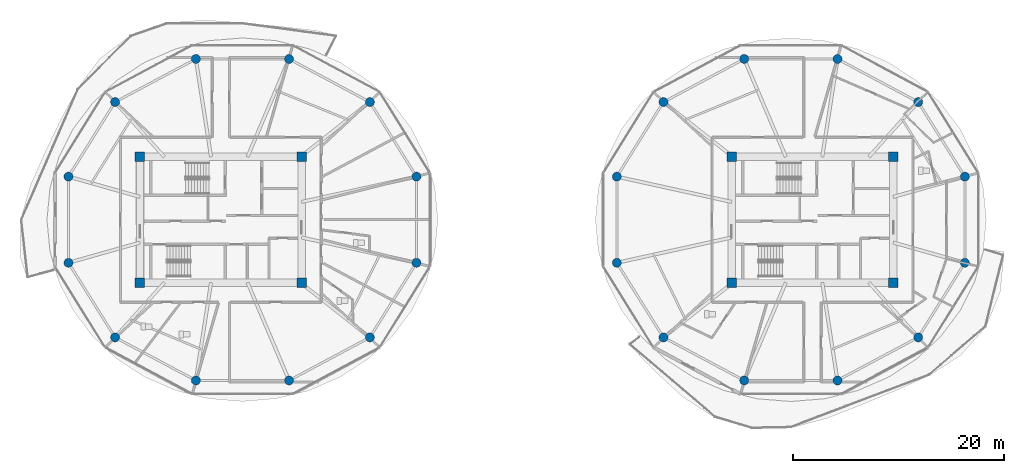
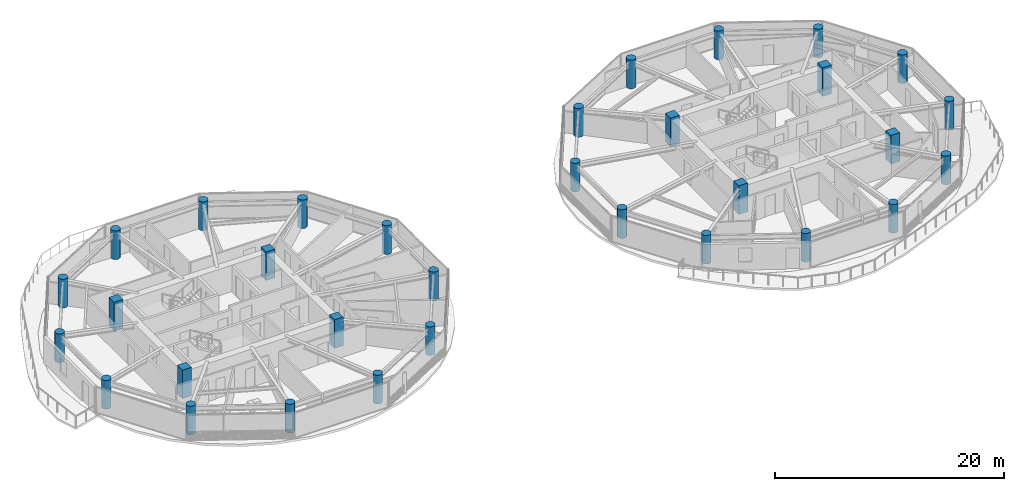
# One storey, part 1 of 25: 32 columns.
"""IFC4 building model written with IfcOpenShell, lengths in metres."""

from ifc_helpers import new_model, si_unit, direction, frame, origin, origin_2d, place, context, subcontext, project, spatial, rectangle, circle, extrude, source, transform, mapped, material, material_profile, profile_set, type_object, type_shapes, element, save


model = new_model("IFC4")

# Units and contexts
model_context = context("Model", 3, precision=1e-05, world=origin(), true_north=direction((0.0, 1.0)))
body_context = subcontext(model_context, "Body", "Model", "MODEL_VIEW")
ifc_project = project(units=[si_unit("LENGTHUNIT", "METRE"), si_unit("AREAUNIT", "SQUARE_METRE"), si_unit("VOLUMEUNIT", "CUBIC_METRE"), si_unit("PLANEANGLEUNIT", "RADIAN"), si_unit("MASSUNIT", "GRAM", prefix="KILO")], contexts=[model_context])

# Site, building, storey
site_placement = place(None, origin())
site = spatial("IfcSite", under=ifc_project, at=site_placement, CompositionType="ELEMENT")
building_placement = place(site_placement, origin())
building = spatial("IfcBuilding", under=site, at=building_placement, Name="Norrkilde Senior Care Towers", CompositionType="ELEMENT")
storey_placement = place(building_placement, frame((0.0, 0.0, 84.050048828125)))
storey = spatial("IfcBuildingStorey", under=building, at=storey_placement, Name="L25", CompositionType="ELEMENT", Elevation=84.050048828125)

# Columns
ifc_material = material(Name="Concrete C60/75", Category="concrete")
ifc_material_profile_1 = material_profile(ifc_material, rectangle(XDim=0.89990234375, YDim=0.89990234375, at=origin_2d()), Name="RC COL 900x900")
ifc_profile_set_1 = profile_set([ifc_material_profile_1], Name="Concrete C60/75")
column_type_1 = type_object("IfcColumnType", Name="Column Core Corner Z1-Z2 900", PredefinedType="COLUMN", material=ifc_profile_set_1)
shared_shape_1 = source(origin(), body_context, "Body", "SweptSolid", [
    extrude(rectangle(XDim=0.89990234375, YDim=0.89990234375, at=origin_2d()), origin(), (0.0, 0.0, 1.0), 3.050048828125),
])
type_shapes(column_type_1, [shared_shape_1])
for number, where, z_axis, x_axis, name in (
    (1, (-35.64990234375, -5.949951171875, 0.0), (0.0, 0.0, 1.0), (1.0, 0.0, 0.0), "L25 Core W Corner Column 1"),
    (2, (-20.35009765625, -5.949951171875, 0.0), (0.0, 0.0, 1.0), (1.0, 0.0, 0.0), "L25 Core W Corner Column 2"),
    (3, (-20.35009765625, 5.949951171875, 0.0), (0.0, 0.0, 1.0), (1.0, 0.0, 0.0), "L25 Core W Corner Column 3"),
    (4, (-35.64990234375, 5.949951171875, 0.0), (0.0, 0.0, 1.0), (1.0, 0.0, 0.0), "L25 Core W Corner Column 4"),
    (5, (20.35009765625, -5.949951171875, 0.0), (0.0, 0.0, 1.0), (1.0, 0.0, 0.0), "L25 Core E Corner Column 1"),
    (6, (35.64990234375, -5.949951171875, 0.0), (0.0, 0.0, 1.0), (1.0, 0.0, 0.0), "L25 Core E Corner Column 2"),
    (7, (35.64990234375, 5.949951171875, 0.0), (0.0, 0.0, 1.0), (1.0, 0.0, 0.0), "L25 Core E Corner Column 3"),
    (8, (20.35009765625, 5.949951171875, 0.0), (0.0, 0.0, 1.0), (1.0, 0.0, 0.0), "L25 Core E Corner Column 4"),
):
    element("IfcColumn", number, at=place(storey_placement, frame(where, z_axis=z_axis, x_axis=x_axis)), inside=storey, type_object=column_type_1, Name=name, PredefinedType="COLUMN", context=body_context, shape_type="MappedRepresentation", body=[
        mapped(shared_shape_1, transform((0.0, 0.0, 0.0), x_axis=(1.0, 0.0, 0.0), y_axis=(0.0, 1.0, 0.0), z_axis=(0.0, 0.0, 1.0), scale=1.0)),
    ])
ifc_material_profile_2 = material_profile(ifc_material, circle(Radius=0.425048828125, at=origin_2d()), Name="RC CIR 850")
ifc_profile_set_2 = profile_set([ifc_material_profile_2], Name="Concrete C60/75")
column_type_2 = type_object("IfcColumnType", Name="Column Perimeter Z2 850", PredefinedType="COLUMN", material=ifc_profile_set_2)
shared_shape_2 = source(origin(), body_context, "Body", "SweptSolid", [
    extrude(circle(Radius=0.425048828125, at=origin_2d()), origin(), (0.0, 0.0, 1.0), 3.050048828125),
])
type_shapes(column_type_2, [shared_shape_2])
for number, where, z_axis, x_axis, name in (
    (9, (-9.48095703125, 4.076416015625, 0.0), (0.0, 0.0, 1.0), (1.0, 0.0, 0.0), "L25 Drum W Perimeter Column 01"),
    (10, (-13.893798828125, 11.136962890625, 0.0), (0.0, 0.0, 1.0), (1.0, 0.0, 0.0), "L25 Drum W Perimeter Column 02"),
    (11, (-21.537109375, 15.21337890625, 0.0), (0.0, 0.0, 1.0), (1.0, 0.0, 0.0), "L25 Drum W Perimeter Column 03"),
    (12, (-30.36279296875, 15.21337890625, 0.0), (0.0, 0.0, 1.0), (1.0, 0.0, 0.0), "L25 Drum W Perimeter Column 04"),
    (13, (-38.006103515625, 11.136962890625, 0.0), (0.0, 0.0, 1.0), (1.0, 0.0, 0.0), "L25 Drum W Perimeter Column 05"),
    (14, (-42.4189453125, 4.076416015625, 0.0), (0.0, 0.0, 1.0), (1.0, 0.0, 0.0), "L25 Drum W Perimeter Column 06"),
    (15, (-42.4189453125, -4.076416015625, 0.0), (0.0, 0.0, 1.0), (1.0, 0.0, 0.0), "L25 Drum W Perimeter Column 07"),
    (16, (-38.006103515625, -11.136962890625, 0.0), (0.0, 0.0, 1.0), (1.0, 0.0, 0.0), "L25 Drum W Perimeter Column 08"),
    (17, (-30.36279296875, -15.21337890625, 0.0), (0.0, 0.0, 1.0), (1.0, 0.0, 0.0), "L25 Drum W Perimeter Column 09"),
    (18, (-21.537109375, -15.21337890625, 0.0), (0.0, 0.0, 1.0), (1.0, 0.0, 0.0), "L25 Drum W Perimeter Column 10"),
    (19, (-13.893798828125, -11.136962890625, 0.0), (0.0, 0.0, 1.0), (1.0, 0.0, 0.0), "L25 Drum W Perimeter Column 11"),
    (20, (-9.48095703125, -4.076416015625, 0.0), (0.0, 0.0, 1.0), (1.0, 0.0, 0.0), "L25 Drum W Perimeter Column 12"),
    (21, (42.4189453125, 4.076416015625, 0.0), (0.0, 0.0, 1.0), (1.0, 0.0, 0.0), "L25 Drum E Perimeter Column 01"),
    (22, (38.006103515625, 11.136962890625, 0.0), (0.0, 0.0, 1.0), (1.0, 0.0, 0.0), "L25 Drum E Perimeter Column 02"),
    (23, (30.36279296875, 15.21337890625, 0.0), (0.0, 0.0, 1.0), (1.0, 0.0, 0.0), "L25 Drum E Perimeter Column 03"),
    (24, (21.537109375, 15.21337890625, 0.0), (0.0, 0.0, 1.0), (1.0, 0.0, 0.0), "L25 Drum E Perimeter Column 04"),
    (25, (13.893798828125, 11.136962890625, 0.0), (0.0, 0.0, 1.0), (1.0, 0.0, 0.0), "L25 Drum E Perimeter Column 05"),
    (26, (9.48095703125, 4.076416015625, 0.0), (0.0, 0.0, 1.0), (1.0, 0.0, 0.0), "L25 Drum E Perimeter Column 06"),
    (27, (9.48095703125, -4.076416015625, 0.0), (0.0, 0.0, 1.0), (1.0, 0.0, 0.0), "L25 Drum E Perimeter Column 07"),
    (28, (13.893798828125, -11.136962890625, 0.0), (0.0, 0.0, 1.0), (1.0, 0.0, 0.0), "L25 Drum E Perimeter Column 08"),
    (29, (21.537109375, -15.21337890625, 0.0), (0.0, 0.0, 1.0), (1.0, 0.0, 0.0), "L25 Drum E Perimeter Column 09"),
    (30, (30.36279296875, -15.21337890625, 0.0), (0.0, 0.0, 1.0), (1.0, 0.0, 0.0), "L25 Drum E Perimeter Column 10"),
    (31, (38.006103515625, -11.136962890625, 0.0), (0.0, 0.0, 1.0), (1.0, 0.0, 0.0), "L25 Drum E Perimeter Column 11"),
    (32, (42.4189453125, -4.076416015625, 0.0), (0.0, 0.0, 1.0), (1.0, 0.0, 0.0), "L25 Drum E Perimeter Column 12"),
):
    element("IfcColumn", number, at=place(storey_placement, frame(where, z_axis=z_axis, x_axis=x_axis)), inside=storey, type_object=column_type_2, Name=name, PredefinedType="COLUMN", context=body_context, shape_type="MappedRepresentation", body=[
        mapped(shared_shape_2, transform((0.0, 0.0, 0.0), x_axis=(1.0, 0.0, 0.0), y_axis=(0.0, 1.0, 0.0), z_axis=(0.0, 0.0, 1.0), scale=1.0)),
    ])

save(model, "model.ifc")
